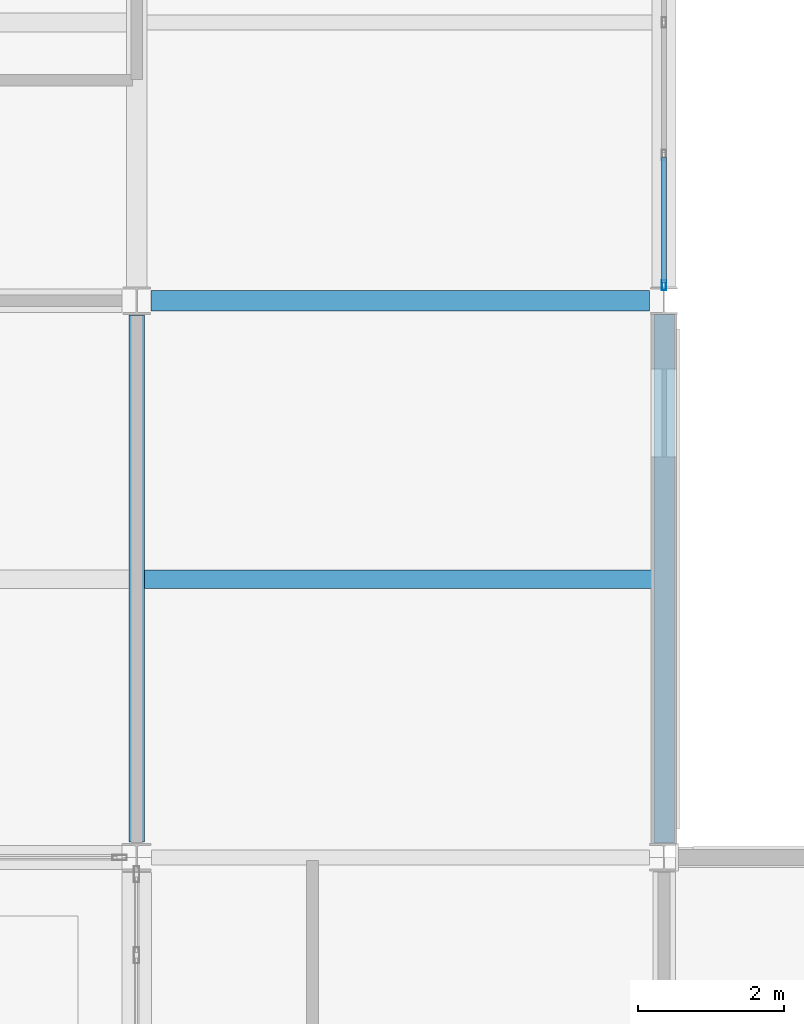
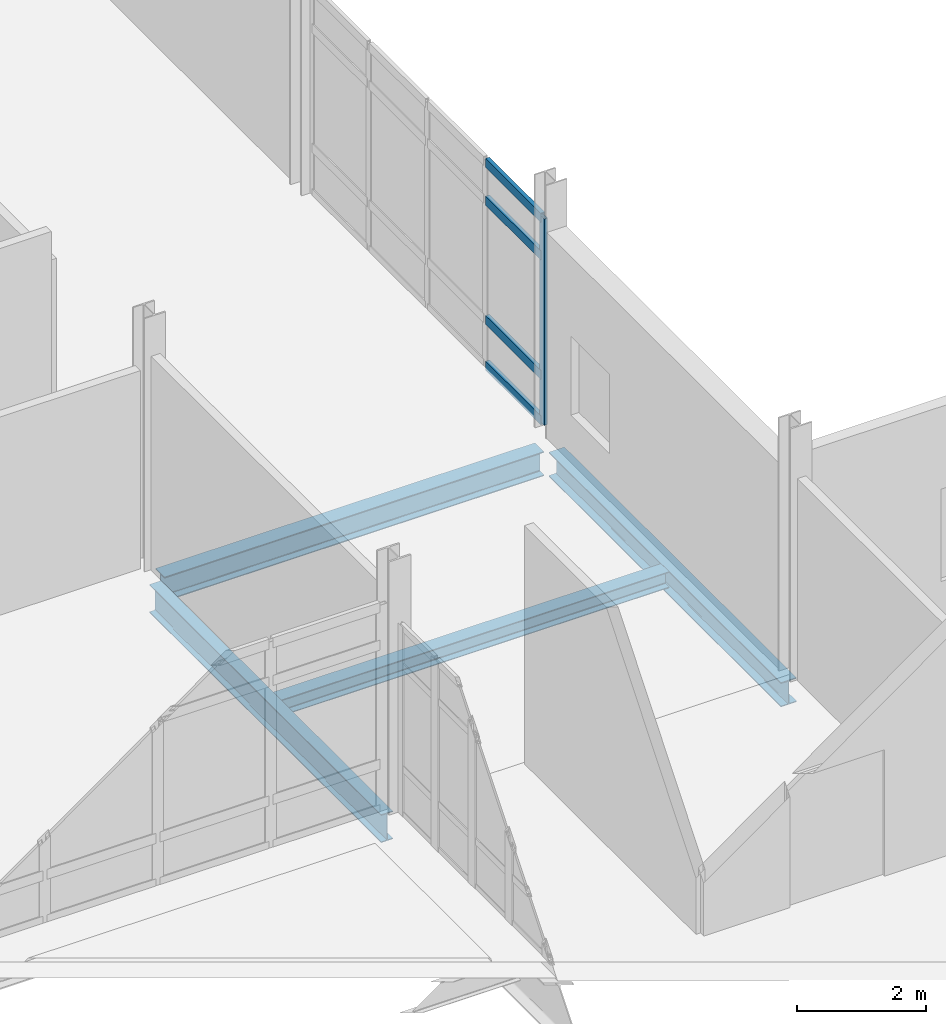
# One storey, part 73 of 186: 5 members, 4 beams, 1 element without a shape of its own.
"""IFC4 building model written with IfcOpenShell, lengths in metres."""

from ifc_helpers import new_model, si_unit, direction, frame, origin, origin_2d, place, context, subcontext, project, spatial, hollow_rectangle, i_section, extrude, material, layer, layer_set, material_profile, profile_set, type_object, element, aggregate, save


model = new_model("IFC4")

# Units and contexts
model_context = context("Model", 3, precision=1e-05, world=origin(), true_north=direction((0.0, 1.0)))
body_context = subcontext(model_context, "Body", "Model", "MODEL_VIEW")
ifc_project = project(units=[si_unit("LENGTHUNIT", "METRE"), si_unit("AREAUNIT", "SQUARE_METRE"), si_unit("VOLUMEUNIT", "CUBIC_METRE"), si_unit("PLANEANGLEUNIT", "RADIAN"), si_unit("MASSUNIT", "GRAM", prefix="KILO")], contexts=[model_context])

# Site, building, storey
site_placement = place(None, origin())
site = spatial("IfcSite", under=ifc_project, at=site_placement, CompositionType="ELEMENT")
building_placement = place(site_placement, origin())
building = spatial("IfcBuilding", under=site, at=building_placement, Name="Calvrana Isthmian Art Gallery", CompositionType="ELEMENT")
storey_placement = place(building_placement, frame((0.0, 0.0, 5.39990234375)))
storey = spatial("IfcBuildingStorey", under=building, at=storey_placement, Name="L01", CompositionType="ELEMENT", Elevation=5.39990234375)

# Beams
ifc_material_1 = material(Name="Steel ASTM A992 Gr 50", Category="steel")
ifc_material_profile_1 = material_profile(ifc_material_1, i_section(OverallWidth=0.279052734375, OverallDepth=0.4619140625, WebThickness=0.0107421875, FlangeThickness=0.017333984375, FilletRadius=0.02001953125, at=origin_2d()), Name="W18X76")
ifc_profile_set_1 = profile_set([ifc_material_profile_1], Name="Steel ASTM A992 Gr 50")
beam_type_1 = type_object("IfcBeamType", Name="BM-G-W18X76", PredefinedType="BEAM", material=ifc_profile_set_1)
beam_1_placement = place(storey_placement, frame((112.998046875, 54.39990234375, -0.495849609375), z_axis=(1.0, 0.0, 0.0), x_axis=(0.0, 1.0, 0.0)))
element("IfcBeam", 1, at=beam_1_placement, inside=storey, type_object=beam_type_1, Name="Girder X L01 15-16/H", PredefinedType="BEAM", context=body_context, shape_type="SweptSolid", body=[
    extrude(i_section(OverallWidth=0.279052734375, OverallDepth=0.4619140625, WebThickness=0.0107421875, FlangeThickness=0.017333984375, FilletRadius=0.02001953125, at=origin_2d()), origin(), (0.0, 0.0, 1.0), 6.804931640625),
])
beam_2_placement = place(storey_placement, frame((120.0, 46.99951171875, -0.495849609375), z_axis=(0.0, 1.0, 0.0), x_axis=(-1.0, 0.0, 0.0)))
element("IfcBeam", 2, at=beam_2_placement, inside=storey, type_object=beam_type_1, Name="Girder Y L01 16/G-H", PredefinedType="BEAM", context=body_context, shape_type="SweptSolid", body=[
    extrude(i_section(OverallWidth=0.279052734375, OverallDepth=0.4619140625, WebThickness=0.0107421875, FlangeThickness=0.017333984375, FilletRadius=0.02001953125, at=origin_2d()), origin(), (0.0, 0.0, 1.0), 7.21240234375),
])
ifc_material_profile_2 = material_profile(ifc_material_1, i_section(OverallWidth=0.208984375, OverallDepth=0.532958984375, WebThickness=0.01025390625, FlangeThickness=0.015625, FilletRadius=0.02099609375, at=origin_2d()), Name="W21X62")
ifc_profile_set_2 = profile_set([ifc_material_profile_2], Name="Steel ASTM A992 Gr 50")
beam_type_2 = type_object("IfcBeamType", Name="BM-G-W21X62", PredefinedType="BEAM", material=ifc_profile_set_2)
beam_3_placement = place(storey_placement, frame((112.800048828125, 47.008544921875, -0.531494140625), z_axis=(0.0, 1.0, 0.0), x_axis=(-1.0, 0.0, 0.0)))
element("IfcBeam", 3, at=beam_3_placement, inside=storey, type_object=beam_type_2, Name="Girder Y L01 15/G-H", PredefinedType="BEAM", context=body_context, shape_type="SweptSolid", body=[
    extrude(i_section(OverallWidth=0.208984375, OverallDepth=0.532958984375, WebThickness=0.01025390625, FlangeThickness=0.015625, FilletRadius=0.02099609375, at=origin_2d()), origin(), (0.0, 0.0, 1.0), 7.200927734375),
])
ifc_material_profile_3 = material_profile(ifc_material_1, i_section(OverallWidth=0.25390625, OverallDepth=0.306884765625, WebThickness=0.0087890625, FlangeThickness=0.0146484375, FilletRadius=0.01611328125, at=origin_2d()), Name="W12X53")
ifc_profile_set_3 = profile_set([ifc_material_profile_3], Name="Steel ASTM A992 Gr 50")
beam_type_3 = type_object("IfcBeamType", Name="BM-J-W12X53", PredefinedType="JOIST", material=ifc_profile_set_3)
beam_4_placement = place(storey_placement, frame((112.904541015625, 50.60009765625, -0.41845703125), z_axis=(1.0, 0.0, 0.0), x_axis=(0.0, 1.0, 0.0)))
element("IfcBeam", 4, at=beam_4_placement, inside=storey, type_object=beam_type_3, Name="Composite joist L01 bay 14-06", PredefinedType="JOIST", context=body_context, shape_type="SweptSolid", body=[
    extrude(i_section(OverallWidth=0.25390625, OverallDepth=0.306884765625, WebThickness=0.0087890625, FlangeThickness=0.0146484375, FilletRadius=0.01611328125, at=origin_2d()), origin(), (0.0, 0.0, 1.0), 6.9560546875),
])

# Curtain wall, members
ifc_material_2 = material(Name="Anodized bronze aluminium 6063-T6", Category="aluminium")
ifc_layer = layer(ifc_material_2, 0.179931640625, Name="Anodized bronze aluminium 6063-T6")
ifc_layer_set = layer_set([ifc_layer], Name="Anodized bronze aluminium 6063-T6")
curtain_wall_type = type_object("IfcCurtainWallType", Name="CW-STICK-072X39", PredefinedType="NOTDEFINED", material=ifc_layer_set)
curtain_wall_placement = place(storey_placement, origin())
curtain_wall = element("IfcCurtainWall", 5, at=curtain_wall_placement, inside=storey, type_object=curtain_wall_type, Name="Curtain wall CW-138", PredefinedType="NOTDEFINED")
ifc_material_profile_4 = material_profile(ifc_material_2, hollow_rectangle(XDim=0.06005859375, YDim=0.139892578125, WallThickness=0.00390625, at=origin_2d()), Name="CWM60X140")
ifc_profile_set_4 = profile_set([ifc_material_profile_4], Name="Anodized bronze aluminium 6063-T6")
member_type_1 = type_object("IfcMemberType", Name="CWM-CWM60X140", PredefinedType="MULLION", material=ifc_profile_set_4)
member_1_placement = place(storey_placement, frame((120.0, 54.614013671875, 0.0), z_axis=(0.0, 0.0, 1.0), x_axis=(1.0, 0.0, 0.0)))
member_1 = element("IfcMember", 6, at=member_1_placement, type_object=member_type_1, Name="CW-138 mullion 5", PredefinedType="MULLION", context=body_context, shape_type="SweptSolid", body=[
    extrude(hollow_rectangle(XDim=0.06005859375, YDim=0.139892578125, WallThickness=0.00390625, at=origin_2d()), origin(), (0.0, 0.0, 1.0), 3.9130859375),
])
ifc_material_profile_5 = material_profile(ifc_material_2, hollow_rectangle(XDim=0.070068359375, YDim=0.169921875, WallThickness=0.00439453125, at=origin_2d()), Name="CWT70X170")
ifc_profile_set_5 = profile_set([ifc_material_profile_5], Name="Anodized bronze aluminium 6063-T6")
member_type_2 = type_object("IfcMemberType", Name="CWT-CWT70X170", PredefinedType="USERDEFINED", material=ifc_profile_set_5)
member_2_placement = place(storey_placement, frame((120.0, 56.361328125, 0.03515625), z_axis=(0.0, -1.0, 0.0), x_axis=(1.0, 0.0, 0.0)))
member_2 = element("IfcMember", 7, at=member_2_placement, type_object=member_type_2, Name="CW-138 transom 4.1", ObjectType="TRANSOM", PredefinedType="USERDEFINED", context=body_context, shape_type="SweptSolid", body=[
    extrude(hollow_rectangle(XDim=0.070068359375, YDim=0.169921875, WallThickness=0.00439453125, at=origin_2d()), origin(), (0.0, 0.0, 1.0), 1.71728515625),
])
member_3_placement = place(storey_placement, frame((120.0, 56.361328125, 0.900146484375), z_axis=(0.0, -1.0, 0.0), x_axis=(1.0, 0.0, 0.0)))
member_3 = element("IfcMember", 8, at=member_3_placement, type_object=member_type_2, Name="CW-138 transom 4.2", ObjectType="TRANSOM", PredefinedType="USERDEFINED", context=body_context, shape_type="SweptSolid", body=[
    extrude(hollow_rectangle(XDim=0.070068359375, YDim=0.169921875, WallThickness=0.00439453125, at=origin_2d()), origin(), (0.0, 0.0, 1.0), 1.71728515625),
])
member_4_placement = place(storey_placement, frame((120.0, 56.361328125, 3.1630859375), z_axis=(0.0, -1.0, 0.0), x_axis=(1.0, 0.0, 0.0)))
member_4 = element("IfcMember", 9, at=member_4_placement, type_object=member_type_2, Name="CW-138 transom 4.3", ObjectType="TRANSOM", PredefinedType="USERDEFINED", context=body_context, shape_type="SweptSolid", body=[
    extrude(hollow_rectangle(XDim=0.070068359375, YDim=0.169921875, WallThickness=0.00439453125, at=origin_2d()), origin(), (0.0, 0.0, 1.0), 1.71728515625),
])
member_5_placement = place(storey_placement, frame((120.0, 56.361328125, 3.878173828125), z_axis=(0.0, -1.0, 0.0), x_axis=(1.0, 0.0, 0.0)))
member_5 = element("IfcMember", 10, at=member_5_placement, type_object=member_type_2, Name="CW-138 transom 4.4", ObjectType="TRANSOM", PredefinedType="USERDEFINED", context=body_context, shape_type="SweptSolid", body=[
    extrude(hollow_rectangle(XDim=0.070068359375, YDim=0.169921875, WallThickness=0.00439453125, at=origin_2d()), origin(), (0.0, 0.0, 1.0), 1.71728515625),
])
aggregate(curtain_wall, [member_1, member_2, member_3, member_4, member_5])

save(model, "model.ifc")
